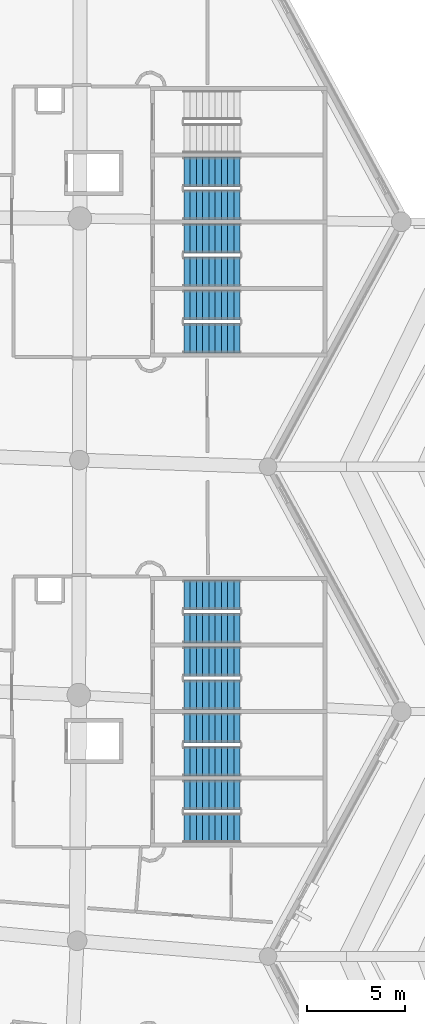
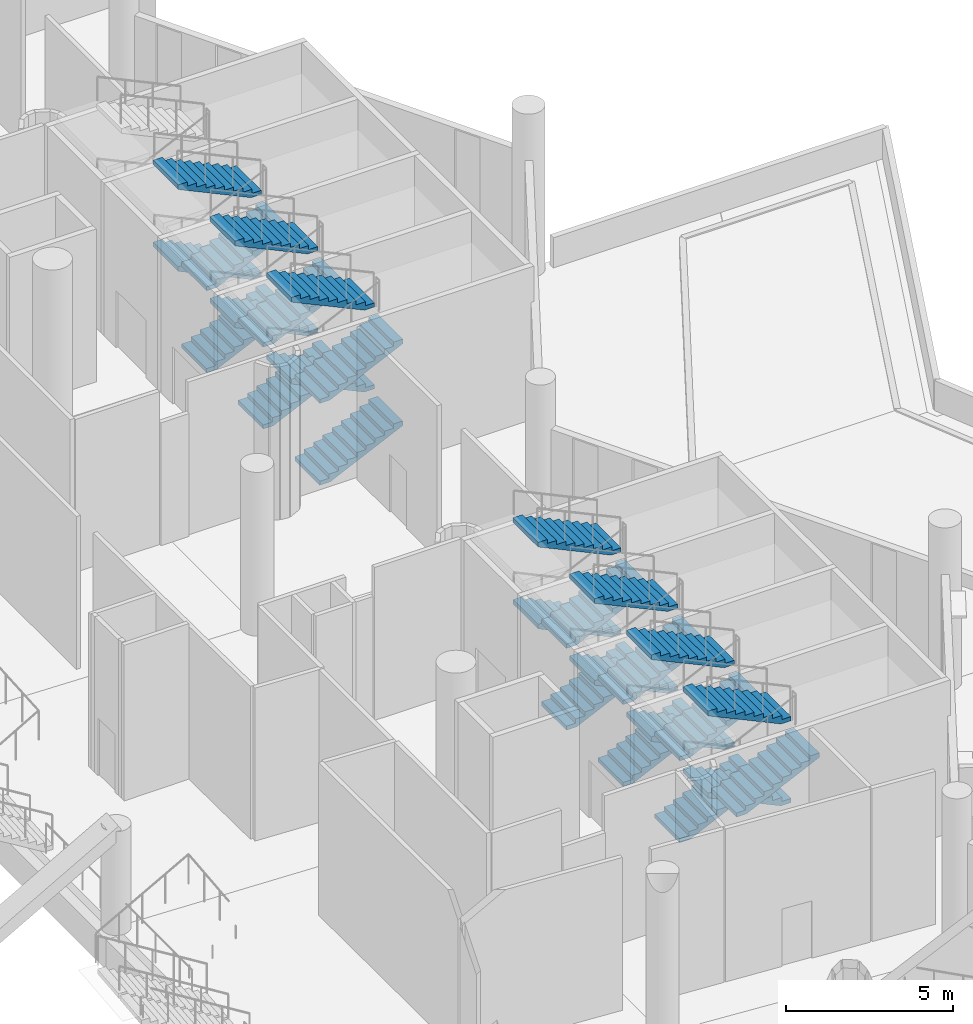
# One storey, part 91 of 173: 27 stair flights, 7 elements without a shape of their own.
"""IFC4 building model written with IfcOpenShell, lengths in metres."""

from ifc_helpers import new_model, si_unit, direction, frame, origin, place, context, subcontext, project, spatial, polyline, outline, extrude, material, type_object, element, aggregate, save


model = new_model("IFC4")

# Units and contexts
model_context = context("Model", 3, precision=1e-05, world=origin(), true_north=direction((0.0, 1.0)))
body_context = subcontext(model_context, "Body", "Model", "MODEL_VIEW")
ifc_project = project(units=[si_unit("LENGTHUNIT", "METRE"), si_unit("AREAUNIT", "SQUARE_METRE"), si_unit("VOLUMEUNIT", "CUBIC_METRE"), si_unit("PLANEANGLEUNIT", "RADIAN"), si_unit("MASSUNIT", "GRAM", prefix="KILO")], contexts=[model_context])

# Site, building, storey
site_placement = place(None, origin())
site = spatial("IfcSite", under=ifc_project, at=site_placement, CompositionType="ELEMENT")
building_placement = place(site_placement, origin())
building = spatial("IfcBuilding", under=site, at=building_placement, Name="Meseta Stadium", CompositionType="ELEMENT")
storey_placement = place(building_placement, frame((0.0, 0.0, 18.0)))
storey = spatial("IfcBuildingStorey", under=building, at=storey_placement, Name="L03", CompositionType="ELEMENT", Elevation=18.0)

# Stair, stair flights
ifc_material_1 = material(Name="Concrete C40/50", Category="concrete")
stair_type = type_object("IfcStairType", Name="Exit stair 4 flights 150 mm risers", PredefinedType="HALF_TURN_STAIR", material=ifc_material_1)
stair_1_placement = place(storey_placement, origin())
stair_1 = element("IfcStair", 1, at=stair_1_placement, inside=storey, type_object=stair_type, Name="ST5 L03", PredefinedType="HALF_TURN_STAIR")
ifc_material_2 = material(Name="Concrete C40/50", Category="concrete")
stair_flight_type = type_object("IfcStairFlightType", Name="Exit stair flight 150 mm risers, 4 per storey", PredefinedType="STRAIGHT", material=ifc_material_2)
stair_flight_1_placement = place(storey_placement, frame((93.179931640625, -35.5, 1.5), z_axis=(0.0, 0.0, 1.0), x_axis=(-1.0, 0.0, 0.0)))
stair_flight_1 = element("IfcStairFlight", 2, at=stair_flight_1_placement, type_object=stair_flight_type, Name="ST5 L03 flight 2", NumberOfRisers=10, NumberOfTreads=9, PredefinedType="STRAIGHT", RiserHeight=0.15, TreadLength=0.32, context=body_context, shape_type="SweptSolid", body=[
    extrude(outline(polyline([(0.0, 0.0), (0.0, 0.14990234375), (0.320068359375, 0.14990234375), (0.320068359375, 0.300048828125), (0.639892578125, 0.300048828125), (0.639892578125, 0.449951171875), (0.9599609375, 0.449951171875), (0.9599609375, 0.60009765625), (1.280029296875, 0.60009765625), (1.280029296875, 0.75), (1.60009765625, 0.75), (1.60009765625, 0.89990234375), (1.919921875, 0.89990234375), (1.919921875, 1.050048828125), (2.239990234375, 1.050048828125), (2.239990234375, 1.199951171875), (2.56005859375, 1.199951171875), (2.56005859375, 1.35009765625), (2.8798828125, 1.35009765625), (2.8798828125, 1.184326171875), (0.353271484375, 0.0), (0.0, 0.0)])), frame((0.0, 0.75, 0.0), z_axis=(0.0, -1.0, 0.0), x_axis=(1.0, 0.0, 0.0)), (0.0, 0.0, 1.0), 1.5),
])
stair_flight_2_placement = place(storey_placement, frame((90.300048828125, -37.199951171875, 3.0), z_axis=(0.0, 0.0, 1.0), x_axis=(1.0, 0.0, 0.0)))
stair_flight_2 = element("IfcStairFlight", 3, at=stair_flight_2_placement, type_object=stair_flight_type, Name="ST5 L03 flight 3", NumberOfRisers=10, NumberOfTreads=9, PredefinedType="STRAIGHT", RiserHeight=0.15, TreadLength=0.32, context=body_context, shape_type="SweptSolid", body=[
    extrude(outline(polyline([(0.0, 0.0), (0.0, 0.14990234375), (0.320068359375, 0.14990234375), (0.320068359375, 0.300048828125), (0.639892578125, 0.300048828125), (0.639892578125, 0.449951171875), (0.9599609375, 0.449951171875), (0.9599609375, 0.60009765625), (1.280029296875, 0.60009765625), (1.280029296875, 0.75), (1.60009765625, 0.75), (1.60009765625, 0.89990234375), (1.919921875, 0.89990234375), (1.919921875, 1.050048828125), (2.239990234375, 1.050048828125), (2.239990234375, 1.199951171875), (2.56005859375, 1.199951171875), (2.56005859375, 1.35009765625), (2.8798828125, 1.35009765625), (2.8798828125, 1.184326171875), (0.353271484375, 0.0), (0.0, 0.0)])), frame((0.0, 0.75, 0.0), z_axis=(0.0, -1.0, 0.0), x_axis=(1.0, 0.0, 0.0)), (0.0, 0.0, 1.0), 1.5),
])
stair_flight_3_placement = place(storey_placement, frame((93.179931640625, -35.5, 4.5), z_axis=(0.0, 0.0, 1.0), x_axis=(-1.0, 0.0, 0.0)))
stair_flight_3 = element("IfcStairFlight", 4, at=stair_flight_3_placement, type_object=stair_flight_type, Name="ST5 L03 flight 4", NumberOfRisers=10, NumberOfTreads=9, PredefinedType="STRAIGHT", RiserHeight=0.15, TreadLength=0.32, context=body_context, shape_type="SweptSolid", body=[
    extrude(outline(polyline([(0.0, 0.0), (0.0, 0.14990234375), (0.320068359375, 0.14990234375), (0.320068359375, 0.300048828125), (0.639892578125, 0.300048828125), (0.639892578125, 0.449951171875), (0.9599609375, 0.449951171875), (0.9599609375, 0.60009765625), (1.280029296875, 0.60009765625), (1.280029296875, 0.75), (1.60009765625, 0.75), (1.60009765625, 0.89990234375), (1.919921875, 0.89990234375), (1.919921875, 1.050048828125), (2.239990234375, 1.050048828125), (2.239990234375, 1.199951171875), (2.56005859375, 1.199951171875), (2.56005859375, 1.35009765625), (2.8798828125, 1.35009765625), (2.8798828125, 1.184326171875), (0.353271484375, 0.0), (0.0, 0.0)])), frame((0.0, 0.75, 0.0), z_axis=(0.0, -1.0, 0.0), x_axis=(1.0, 0.0, 0.0)), (0.0, 0.0, 1.0), 1.5),
])
aggregate(stair_1, [stair_flight_1, stair_flight_2, stair_flight_3])

stair_2_placement = place(storey_placement, origin())
stair_2 = element("IfcStair", 5, at=stair_2_placement, inside=storey, type_object=stair_type, Name="ST6 L03", PredefinedType="HALF_TURN_STAIR")
stair_flight_4_placement = place(storey_placement, frame((90.300048828125, -33.800048828125, 0.0), z_axis=(0.0, 0.0, 1.0), x_axis=(1.0, 0.0, 0.0)))
stair_flight_4 = element("IfcStairFlight", 6, at=stair_flight_4_placement, type_object=stair_flight_type, Name="ST6 L03 flight 1", NumberOfRisers=10, NumberOfTreads=9, PredefinedType="STRAIGHT", RiserHeight=0.15, TreadLength=0.32, context=body_context, shape_type="SweptSolid", body=[
    extrude(outline(polyline([(0.0, 0.0), (0.0, 0.14990234375), (0.320068359375, 0.14990234375), (0.320068359375, 0.300048828125), (0.639892578125, 0.300048828125), (0.639892578125, 0.449951171875), (0.9599609375, 0.449951171875), (0.9599609375, 0.60009765625), (1.280029296875, 0.60009765625), (1.280029296875, 0.75), (1.60009765625, 0.75), (1.60009765625, 0.89990234375), (1.919921875, 0.89990234375), (1.919921875, 1.050048828125), (2.239990234375, 1.050048828125), (2.239990234375, 1.199951171875), (2.56005859375, 1.199951171875), (2.56005859375, 1.35009765625), (2.8798828125, 1.35009765625), (2.8798828125, 1.184326171875), (0.353271484375, 0.0), (0.0, 0.0)])), frame((0.0, 0.75, 0.0), z_axis=(0.0, -1.0, 0.0), x_axis=(1.0, 0.0, 0.0)), (0.0, 0.0, 1.0), 1.5),
])
stair_flight_5_placement = place(storey_placement, frame((93.179931640625, -32.10009765625, 1.5), z_axis=(0.0, 0.0, 1.0), x_axis=(-1.0, 0.0, 0.0)))
stair_flight_5 = element("IfcStairFlight", 7, at=stair_flight_5_placement, type_object=stair_flight_type, Name="ST6 L03 flight 2", NumberOfRisers=10, NumberOfTreads=9, PredefinedType="STRAIGHT", RiserHeight=0.15, TreadLength=0.32, context=body_context, shape_type="SweptSolid", body=[
    extrude(outline(polyline([(0.0, 0.0), (0.0, 0.14990234375), (0.320068359375, 0.14990234375), (0.320068359375, 0.300048828125), (0.639892578125, 0.300048828125), (0.639892578125, 0.449951171875), (0.9599609375, 0.449951171875), (0.9599609375, 0.60009765625), (1.280029296875, 0.60009765625), (1.280029296875, 0.75), (1.60009765625, 0.75), (1.60009765625, 0.89990234375), (1.919921875, 0.89990234375), (1.919921875, 1.050048828125), (2.239990234375, 1.050048828125), (2.239990234375, 1.199951171875), (2.56005859375, 1.199951171875), (2.56005859375, 1.35009765625), (2.8798828125, 1.35009765625), (2.8798828125, 1.184326171875), (0.353271484375, 0.0), (0.0, 0.0)])), frame((0.0, 0.75, 0.0), z_axis=(0.0, -1.0, 0.0), x_axis=(1.0, 0.0, 0.0)), (0.0, 0.0, 1.0), 1.5),
])
stair_flight_6_placement = place(storey_placement, frame((90.300048828125, -33.800048828125, 3.0), z_axis=(0.0, 0.0, 1.0), x_axis=(1.0, 0.0, 0.0)))
stair_flight_6 = element("IfcStairFlight", 8, at=stair_flight_6_placement, type_object=stair_flight_type, Name="ST6 L03 flight 3", NumberOfRisers=10, NumberOfTreads=9, PredefinedType="STRAIGHT", RiserHeight=0.15, TreadLength=0.32, context=body_context, shape_type="SweptSolid", body=[
    extrude(outline(polyline([(0.0, 0.0), (0.0, 0.14990234375), (0.320068359375, 0.14990234375), (0.320068359375, 0.300048828125), (0.639892578125, 0.300048828125), (0.639892578125, 0.449951171875), (0.9599609375, 0.449951171875), (0.9599609375, 0.60009765625), (1.280029296875, 0.60009765625), (1.280029296875, 0.75), (1.60009765625, 0.75), (1.60009765625, 0.89990234375), (1.919921875, 0.89990234375), (1.919921875, 1.050048828125), (2.239990234375, 1.050048828125), (2.239990234375, 1.199951171875), (2.56005859375, 1.199951171875), (2.56005859375, 1.35009765625), (2.8798828125, 1.35009765625), (2.8798828125, 1.184326171875), (0.353271484375, 0.0), (0.0, 0.0)])), frame((0.0, 0.75, 0.0), z_axis=(0.0, -1.0, 0.0), x_axis=(1.0, 0.0, 0.0)), (0.0, 0.0, 1.0), 1.5),
])
stair_flight_7_placement = place(storey_placement, frame((93.179931640625, -32.10009765625, 4.5), z_axis=(0.0, 0.0, 1.0), x_axis=(-1.0, 0.0, 0.0)))
stair_flight_7 = element("IfcStairFlight", 9, at=stair_flight_7_placement, type_object=stair_flight_type, Name="ST6 L03 flight 4", NumberOfRisers=10, NumberOfTreads=9, PredefinedType="STRAIGHT", RiserHeight=0.15, TreadLength=0.32, context=body_context, shape_type="SweptSolid", body=[
    extrude(outline(polyline([(0.0, 0.0), (0.0, 0.14990234375), (0.320068359375, 0.14990234375), (0.320068359375, 0.300048828125), (0.639892578125, 0.300048828125), (0.639892578125, 0.449951171875), (0.9599609375, 0.449951171875), (0.9599609375, 0.60009765625), (1.280029296875, 0.60009765625), (1.280029296875, 0.75), (1.60009765625, 0.75), (1.60009765625, 0.89990234375), (1.919921875, 0.89990234375), (1.919921875, 1.050048828125), (2.239990234375, 1.050048828125), (2.239990234375, 1.199951171875), (2.56005859375, 1.199951171875), (2.56005859375, 1.35009765625), (2.8798828125, 1.35009765625), (2.8798828125, 1.184326171875), (0.353271484375, 0.0), (0.0, 0.0)])), frame((0.0, 0.75, 0.0), z_axis=(0.0, -1.0, 0.0), x_axis=(1.0, 0.0, 0.0)), (0.0, 0.0, 1.0), 1.5),
])
aggregate(stair_2, [stair_flight_4, stair_flight_5, stair_flight_6, stair_flight_7])

stair_3_placement = place(storey_placement, origin())
stair_3 = element("IfcStair", 10, at=stair_3_placement, inside=storey, type_object=stair_type, Name="ST7 L03", PredefinedType="HALF_TURN_STAIR")
stair_flight_8_placement = place(storey_placement, frame((90.300048828125, -30.39990234375, 0.0), z_axis=(0.0, 0.0, 1.0), x_axis=(1.0, 0.0, 0.0)))
stair_flight_8 = element("IfcStairFlight", 11, at=stair_flight_8_placement, type_object=stair_flight_type, Name="ST7 L03 flight 1", NumberOfRisers=10, NumberOfTreads=9, PredefinedType="STRAIGHT", RiserHeight=0.15, TreadLength=0.32, context=body_context, shape_type="SweptSolid", body=[
    extrude(outline(polyline([(0.0, 0.0), (0.0, 0.14990234375), (0.320068359375, 0.14990234375), (0.320068359375, 0.300048828125), (0.639892578125, 0.300048828125), (0.639892578125, 0.449951171875), (0.9599609375, 0.449951171875), (0.9599609375, 0.60009765625), (1.280029296875, 0.60009765625), (1.280029296875, 0.75), (1.60009765625, 0.75), (1.60009765625, 0.89990234375), (1.919921875, 0.89990234375), (1.919921875, 1.050048828125), (2.239990234375, 1.050048828125), (2.239990234375, 1.199951171875), (2.56005859375, 1.199951171875), (2.56005859375, 1.35009765625), (2.8798828125, 1.35009765625), (2.8798828125, 1.184326171875), (0.353271484375, 0.0), (0.0, 0.0)])), frame((0.0, 0.75, 0.0), z_axis=(0.0, -1.0, 0.0), x_axis=(1.0, 0.0, 0.0)), (0.0, 0.0, 1.0), 1.5),
])
stair_flight_9_placement = place(storey_placement, frame((93.179931640625, -28.699951171875, 1.5), z_axis=(0.0, 0.0, 1.0), x_axis=(-1.0, 0.0, 0.0)))
stair_flight_9 = element("IfcStairFlight", 12, at=stair_flight_9_placement, type_object=stair_flight_type, Name="ST7 L03 flight 2", NumberOfRisers=10, NumberOfTreads=9, PredefinedType="STRAIGHT", RiserHeight=0.15, TreadLength=0.32, context=body_context, shape_type="SweptSolid", body=[
    extrude(outline(polyline([(0.0, 0.0), (0.0, 0.14990234375), (0.320068359375, 0.14990234375), (0.320068359375, 0.300048828125), (0.639892578125, 0.300048828125), (0.639892578125, 0.449951171875), (0.9599609375, 0.449951171875), (0.9599609375, 0.60009765625), (1.280029296875, 0.60009765625), (1.280029296875, 0.75), (1.60009765625, 0.75), (1.60009765625, 0.89990234375), (1.919921875, 0.89990234375), (1.919921875, 1.050048828125), (2.239990234375, 1.050048828125), (2.239990234375, 1.199951171875), (2.56005859375, 1.199951171875), (2.56005859375, 1.35009765625), (2.8798828125, 1.35009765625), (2.8798828125, 1.184326171875), (0.353271484375, 0.0), (0.0, 0.0)])), frame((0.0, 0.75, 0.0), z_axis=(0.0, -1.0, 0.0), x_axis=(1.0, 0.0, 0.0)), (0.0, 0.0, 1.0), 1.5),
])
stair_flight_10_placement = place(storey_placement, frame((90.300048828125, -30.39990234375, 3.0), z_axis=(0.0, 0.0, 1.0), x_axis=(1.0, 0.0, 0.0)))
stair_flight_10 = element("IfcStairFlight", 13, at=stair_flight_10_placement, type_object=stair_flight_type, Name="ST7 L03 flight 3", NumberOfRisers=10, NumberOfTreads=9, PredefinedType="STRAIGHT", RiserHeight=0.15, TreadLength=0.32, context=body_context, shape_type="SweptSolid", body=[
    extrude(outline(polyline([(0.0, 0.0), (0.0, 0.14990234375), (0.320068359375, 0.14990234375), (0.320068359375, 0.300048828125), (0.639892578125, 0.300048828125), (0.639892578125, 0.449951171875), (0.9599609375, 0.449951171875), (0.9599609375, 0.60009765625), (1.280029296875, 0.60009765625), (1.280029296875, 0.75), (1.60009765625, 0.75), (1.60009765625, 0.89990234375), (1.919921875, 0.89990234375), (1.919921875, 1.050048828125), (2.239990234375, 1.050048828125), (2.239990234375, 1.199951171875), (2.56005859375, 1.199951171875), (2.56005859375, 1.35009765625), (2.8798828125, 1.35009765625), (2.8798828125, 1.184326171875), (0.353271484375, 0.0), (0.0, 0.0)])), frame((0.0, 0.75, 0.0), z_axis=(0.0, -1.0, 0.0), x_axis=(1.0, 0.0, 0.0)), (0.0, 0.0, 1.0), 1.5),
])
stair_flight_11_placement = place(storey_placement, frame((93.179931640625, -28.699951171875, 4.5), z_axis=(0.0, 0.0, 1.0), x_axis=(-1.0, 0.0, 0.0)))
stair_flight_11 = element("IfcStairFlight", 14, at=stair_flight_11_placement, type_object=stair_flight_type, Name="ST7 L03 flight 4", NumberOfRisers=10, NumberOfTreads=9, PredefinedType="STRAIGHT", RiserHeight=0.15, TreadLength=0.32, context=body_context, shape_type="SweptSolid", body=[
    extrude(outline(polyline([(0.0, 0.0), (0.0, 0.14990234375), (0.320068359375, 0.14990234375), (0.320068359375, 0.300048828125), (0.639892578125, 0.300048828125), (0.639892578125, 0.449951171875), (0.9599609375, 0.449951171875), (0.9599609375, 0.60009765625), (1.280029296875, 0.60009765625), (1.280029296875, 0.75), (1.60009765625, 0.75), (1.60009765625, 0.89990234375), (1.919921875, 0.89990234375), (1.919921875, 1.050048828125), (2.239990234375, 1.050048828125), (2.239990234375, 1.199951171875), (2.56005859375, 1.199951171875), (2.56005859375, 1.35009765625), (2.8798828125, 1.35009765625), (2.8798828125, 1.184326171875), (0.353271484375, 0.0), (0.0, 0.0)])), frame((0.0, 0.75, 0.0), z_axis=(0.0, -1.0, 0.0), x_axis=(1.0, 0.0, 0.0)), (0.0, 0.0, 1.0), 1.5),
])
aggregate(stair_3, [stair_flight_8, stair_flight_9, stair_flight_10, stair_flight_11])

stair_4_placement = place(storey_placement, origin())
stair_4 = element("IfcStair", 15, at=stair_4_placement, inside=storey, type_object=stair_type, Name="ST8 L03", PredefinedType="HALF_TURN_STAIR")
stair_flight_12_placement = place(storey_placement, frame((90.300048828125, -27.0, 0.0), z_axis=(0.0, 0.0, 1.0), x_axis=(1.0, 0.0, 0.0)))
stair_flight_12 = element("IfcStairFlight", 16, at=stair_flight_12_placement, type_object=stair_flight_type, Name="ST8 L03 flight 1", NumberOfRisers=10, NumberOfTreads=9, PredefinedType="STRAIGHT", RiserHeight=0.15, TreadLength=0.32, context=body_context, shape_type="SweptSolid", body=[
    extrude(outline(polyline([(0.0, 0.0), (0.0, 0.14990234375), (0.320068359375, 0.14990234375), (0.320068359375, 0.300048828125), (0.639892578125, 0.300048828125), (0.639892578125, 0.449951171875), (0.9599609375, 0.449951171875), (0.9599609375, 0.60009765625), (1.280029296875, 0.60009765625), (1.280029296875, 0.75), (1.60009765625, 0.75), (1.60009765625, 0.89990234375), (1.919921875, 0.89990234375), (1.919921875, 1.050048828125), (2.239990234375, 1.050048828125), (2.239990234375, 1.199951171875), (2.56005859375, 1.199951171875), (2.56005859375, 1.35009765625), (2.8798828125, 1.35009765625), (2.8798828125, 1.184326171875), (0.353271484375, 0.0), (0.0, 0.0)])), frame((0.0, 0.75, 0.0), z_axis=(0.0, -1.0, 0.0), x_axis=(1.0, 0.0, 0.0)), (0.0, 0.0, 1.0), 1.5),
])
stair_flight_13_placement = place(storey_placement, frame((93.179931640625, -25.300048828125, 1.5), z_axis=(0.0, 0.0, 1.0), x_axis=(-1.0, 0.0, 0.0)))
stair_flight_13 = element("IfcStairFlight", 17, at=stair_flight_13_placement, type_object=stair_flight_type, Name="ST8 L03 flight 2", NumberOfRisers=10, NumberOfTreads=9, PredefinedType="STRAIGHT", RiserHeight=0.15, TreadLength=0.32, context=body_context, shape_type="SweptSolid", body=[
    extrude(outline(polyline([(0.0, 0.0), (0.0, 0.14990234375), (0.320068359375, 0.14990234375), (0.320068359375, 0.300048828125), (0.639892578125, 0.300048828125), (0.639892578125, 0.449951171875), (0.9599609375, 0.449951171875), (0.9599609375, 0.60009765625), (1.280029296875, 0.60009765625), (1.280029296875, 0.75), (1.60009765625, 0.75), (1.60009765625, 0.89990234375), (1.919921875, 0.89990234375), (1.919921875, 1.050048828125), (2.239990234375, 1.050048828125), (2.239990234375, 1.199951171875), (2.56005859375, 1.199951171875), (2.56005859375, 1.35009765625), (2.8798828125, 1.35009765625), (2.8798828125, 1.184326171875), (0.353271484375, 0.0), (0.0, 0.0)])), frame((0.0, 0.75, 0.0), z_axis=(0.0, -1.0, 0.0), x_axis=(1.0, 0.0, 0.0)), (0.0, 0.0, 1.0), 1.5),
])
stair_flight_14_placement = place(storey_placement, frame((90.300048828125, -27.0, 3.0), z_axis=(0.0, 0.0, 1.0), x_axis=(1.0, 0.0, 0.0)))
stair_flight_14 = element("IfcStairFlight", 18, at=stair_flight_14_placement, type_object=stair_flight_type, Name="ST8 L03 flight 3", NumberOfRisers=10, NumberOfTreads=9, PredefinedType="STRAIGHT", RiserHeight=0.15, TreadLength=0.32, context=body_context, shape_type="SweptSolid", body=[
    extrude(outline(polyline([(0.0, 0.0), (0.0, 0.14990234375), (0.320068359375, 0.14990234375), (0.320068359375, 0.300048828125), (0.639892578125, 0.300048828125), (0.639892578125, 0.449951171875), (0.9599609375, 0.449951171875), (0.9599609375, 0.60009765625), (1.280029296875, 0.60009765625), (1.280029296875, 0.75), (1.60009765625, 0.75), (1.60009765625, 0.89990234375), (1.919921875, 0.89990234375), (1.919921875, 1.050048828125), (2.239990234375, 1.050048828125), (2.239990234375, 1.199951171875), (2.56005859375, 1.199951171875), (2.56005859375, 1.35009765625), (2.8798828125, 1.35009765625), (2.8798828125, 1.184326171875), (0.353271484375, 0.0), (0.0, 0.0)])), frame((0.0, 0.75, 0.0), z_axis=(0.0, -1.0, 0.0), x_axis=(1.0, 0.0, 0.0)), (0.0, 0.0, 1.0), 1.5),
])
stair_flight_15_placement = place(storey_placement, frame((93.179931640625, -25.300048828125, 4.5), z_axis=(0.0, 0.0, 1.0), x_axis=(-1.0, 0.0, 0.0)))
stair_flight_15 = element("IfcStairFlight", 19, at=stair_flight_15_placement, type_object=stair_flight_type, Name="ST8 L03 flight 4", NumberOfRisers=10, NumberOfTreads=9, PredefinedType="STRAIGHT", RiserHeight=0.15, TreadLength=0.32, context=body_context, shape_type="SweptSolid", body=[
    extrude(outline(polyline([(0.0, 0.0), (0.0, 0.14990234375), (0.320068359375, 0.14990234375), (0.320068359375, 0.300048828125), (0.639892578125, 0.300048828125), (0.639892578125, 0.449951171875), (0.9599609375, 0.449951171875), (0.9599609375, 0.60009765625), (1.280029296875, 0.60009765625), (1.280029296875, 0.75), (1.60009765625, 0.75), (1.60009765625, 0.89990234375), (1.919921875, 0.89990234375), (1.919921875, 1.050048828125), (2.239990234375, 1.050048828125), (2.239990234375, 1.199951171875), (2.56005859375, 1.199951171875), (2.56005859375, 1.35009765625), (2.8798828125, 1.35009765625), (2.8798828125, 1.184326171875), (0.353271484375, 0.0), (0.0, 0.0)])), frame((0.0, 0.75, 0.0), z_axis=(0.0, -1.0, 0.0), x_axis=(1.0, 0.0, 0.0)), (0.0, 0.0, 1.0), 1.5),
])
aggregate(stair_4, [stair_flight_12, stair_flight_13, stair_flight_14, stair_flight_15])

stair_5_placement = place(storey_placement, origin())
stair_5 = element("IfcStair", 20, at=stair_5_placement, inside=storey, type_object=stair_type, Name="ST9 L03", PredefinedType="HALF_TURN_STAIR")
stair_flight_16_placement = place(storey_placement, frame((90.300048828125, -12.199951171875, 0.0), z_axis=(0.0, 0.0, 1.0), x_axis=(1.0, 0.0, 0.0)))
stair_flight_16 = element("IfcStairFlight", 21, at=stair_flight_16_placement, type_object=stair_flight_type, Name="ST9 L03 flight 1", NumberOfRisers=10, NumberOfTreads=9, PredefinedType="STRAIGHT", RiserHeight=0.15, TreadLength=0.32, context=body_context, shape_type="SweptSolid", body=[
    extrude(outline(polyline([(0.0, 0.0), (0.0, 0.14990234375), (0.320068359375, 0.14990234375), (0.320068359375, 0.300048828125), (0.639892578125, 0.300048828125), (0.639892578125, 0.449951171875), (0.9599609375, 0.449951171875), (0.9599609375, 0.60009765625), (1.280029296875, 0.60009765625), (1.280029296875, 0.75), (1.60009765625, 0.75), (1.60009765625, 0.89990234375), (1.919921875, 0.89990234375), (1.919921875, 1.050048828125), (2.239990234375, 1.050048828125), (2.239990234375, 1.199951171875), (2.56005859375, 1.199951171875), (2.56005859375, 1.35009765625), (2.8798828125, 1.35009765625), (2.8798828125, 1.184326171875), (0.353271484375, 0.0), (0.0, 0.0)])), frame((0.0, 0.75, 0.0), z_axis=(0.0, -1.0, 0.0), x_axis=(1.0, 0.0, 0.0)), (0.0, 0.0, 1.0), 1.5),
])
stair_flight_17_placement = place(storey_placement, frame((93.179931640625, -10.5, 1.5), z_axis=(0.0, 0.0, 1.0), x_axis=(-1.0, 0.0, 0.0)))
stair_flight_17 = element("IfcStairFlight", 22, at=stair_flight_17_placement, type_object=stair_flight_type, Name="ST9 L03 flight 2", NumberOfRisers=10, NumberOfTreads=9, PredefinedType="STRAIGHT", RiserHeight=0.15, TreadLength=0.32, context=body_context, shape_type="SweptSolid", body=[
    extrude(outline(polyline([(0.0, 0.0), (0.0, 0.14990234375), (0.320068359375, 0.14990234375), (0.320068359375, 0.300048828125), (0.639892578125, 0.300048828125), (0.639892578125, 0.449951171875), (0.9599609375, 0.449951171875), (0.9599609375, 0.60009765625), (1.280029296875, 0.60009765625), (1.280029296875, 0.75), (1.60009765625, 0.75), (1.60009765625, 0.89990234375), (1.919921875, 0.89990234375), (1.919921875, 1.050048828125), (2.239990234375, 1.050048828125), (2.239990234375, 1.199951171875), (2.56005859375, 1.199951171875), (2.56005859375, 1.35009765625), (2.8798828125, 1.35009765625), (2.8798828125, 1.184326171875), (0.353271484375, 0.0), (0.0, 0.0)])), frame((0.0, 0.75, 0.0), z_axis=(0.0, -1.0, 0.0), x_axis=(1.0, 0.0, 0.0)), (0.0, 0.0, 1.0), 1.5),
])
stair_flight_18_placement = place(storey_placement, frame((90.300048828125, -12.199951171875, 3.0), z_axis=(0.0, 0.0, 1.0), x_axis=(1.0, 0.0, 0.0)))
stair_flight_18 = element("IfcStairFlight", 23, at=stair_flight_18_placement, type_object=stair_flight_type, Name="ST9 L03 flight 3", NumberOfRisers=10, NumberOfTreads=9, PredefinedType="STRAIGHT", RiserHeight=0.15, TreadLength=0.32, context=body_context, shape_type="SweptSolid", body=[
    extrude(outline(polyline([(0.0, 0.0), (0.0, 0.14990234375), (0.320068359375, 0.14990234375), (0.320068359375, 0.300048828125), (0.639892578125, 0.300048828125), (0.639892578125, 0.449951171875), (0.9599609375, 0.449951171875), (0.9599609375, 0.60009765625), (1.280029296875, 0.60009765625), (1.280029296875, 0.75), (1.60009765625, 0.75), (1.60009765625, 0.89990234375), (1.919921875, 0.89990234375), (1.919921875, 1.050048828125), (2.239990234375, 1.050048828125), (2.239990234375, 1.199951171875), (2.56005859375, 1.199951171875), (2.56005859375, 1.35009765625), (2.8798828125, 1.35009765625), (2.8798828125, 1.184326171875), (0.353271484375, 0.0), (0.0, 0.0)])), frame((0.0, 0.75, 0.0), z_axis=(0.0, -1.0, 0.0), x_axis=(1.0, 0.0, 0.0)), (0.0, 0.0, 1.0), 1.5),
])
stair_flight_19_placement = place(storey_placement, frame((93.179931640625, -10.5, 4.5), z_axis=(0.0, 0.0, 1.0), x_axis=(-1.0, 0.0, 0.0)))
stair_flight_19 = element("IfcStairFlight", 24, at=stair_flight_19_placement, type_object=stair_flight_type, Name="ST9 L03 flight 4", NumberOfRisers=10, NumberOfTreads=9, PredefinedType="STRAIGHT", RiserHeight=0.15, TreadLength=0.32, context=body_context, shape_type="SweptSolid", body=[
    extrude(outline(polyline([(0.0, 0.0), (0.0, 0.14990234375), (0.320068359375, 0.14990234375), (0.320068359375, 0.300048828125), (0.639892578125, 0.300048828125), (0.639892578125, 0.449951171875), (0.9599609375, 0.449951171875), (0.9599609375, 0.60009765625), (1.280029296875, 0.60009765625), (1.280029296875, 0.75), (1.60009765625, 0.75), (1.60009765625, 0.89990234375), (1.919921875, 0.89990234375), (1.919921875, 1.050048828125), (2.239990234375, 1.050048828125), (2.239990234375, 1.199951171875), (2.56005859375, 1.199951171875), (2.56005859375, 1.35009765625), (2.8798828125, 1.35009765625), (2.8798828125, 1.184326171875), (0.353271484375, 0.0), (0.0, 0.0)])), frame((0.0, 0.75, 0.0), z_axis=(0.0, -1.0, 0.0), x_axis=(1.0, 0.0, 0.0)), (0.0, 0.0, 1.0), 1.5),
])
aggregate(stair_5, [stair_flight_16, stair_flight_17, stair_flight_18, stair_flight_19])

stair_6_placement = place(storey_placement, origin())
stair_6 = element("IfcStair", 25, at=stair_6_placement, inside=storey, type_object=stair_type, Name="ST10 L03", PredefinedType="HALF_TURN_STAIR")
stair_flight_20_placement = place(storey_placement, frame((90.300048828125, -8.800048828125, 0.0), z_axis=(0.0, 0.0, 1.0), x_axis=(1.0, 0.0, 0.0)))
stair_flight_20 = element("IfcStairFlight", 26, at=stair_flight_20_placement, type_object=stair_flight_type, Name="ST10 L03 flight 1", NumberOfRisers=10, NumberOfTreads=9, PredefinedType="STRAIGHT", RiserHeight=0.15, TreadLength=0.32, context=body_context, shape_type="SweptSolid", body=[
    extrude(outline(polyline([(0.0, 0.0), (0.0, 0.14990234375), (0.320068359375, 0.14990234375), (0.320068359375, 0.300048828125), (0.639892578125, 0.300048828125), (0.639892578125, 0.449951171875), (0.9599609375, 0.449951171875), (0.9599609375, 0.60009765625), (1.280029296875, 0.60009765625), (1.280029296875, 0.75), (1.60009765625, 0.75), (1.60009765625, 0.89990234375), (1.919921875, 0.89990234375), (1.919921875, 1.050048828125), (2.239990234375, 1.050048828125), (2.239990234375, 1.199951171875), (2.56005859375, 1.199951171875), (2.56005859375, 1.35009765625), (2.8798828125, 1.35009765625), (2.8798828125, 1.184326171875), (0.353271484375, 0.0), (0.0, 0.0)])), frame((0.0, 0.75, 0.0), z_axis=(0.0, -1.0, 0.0), x_axis=(1.0, 0.0, 0.0)), (0.0, 0.0, 1.0), 1.5),
])
stair_flight_21_placement = place(storey_placement, frame((93.179931640625, -7.10009765625, 1.5), z_axis=(0.0, 0.0, 1.0), x_axis=(-1.0, 0.0, 0.0)))
stair_flight_21 = element("IfcStairFlight", 27, at=stair_flight_21_placement, type_object=stair_flight_type, Name="ST10 L03 flight 2", NumberOfRisers=10, NumberOfTreads=9, PredefinedType="STRAIGHT", RiserHeight=0.15, TreadLength=0.32, context=body_context, shape_type="SweptSolid", body=[
    extrude(outline(polyline([(0.0, 0.0), (0.0, 0.14990234375), (0.320068359375, 0.14990234375), (0.320068359375, 0.300048828125), (0.639892578125, 0.300048828125), (0.639892578125, 0.449951171875), (0.9599609375, 0.449951171875), (0.9599609375, 0.60009765625), (1.280029296875, 0.60009765625), (1.280029296875, 0.75), (1.60009765625, 0.75), (1.60009765625, 0.89990234375), (1.919921875, 0.89990234375), (1.919921875, 1.050048828125), (2.239990234375, 1.050048828125), (2.239990234375, 1.199951171875), (2.56005859375, 1.199951171875), (2.56005859375, 1.35009765625), (2.8798828125, 1.35009765625), (2.8798828125, 1.184326171875), (0.353271484375, 0.0), (0.0, 0.0)])), frame((0.0, 0.75, 0.0), z_axis=(0.0, -1.0, 0.0), x_axis=(1.0, 0.0, 0.0)), (0.0, 0.0, 1.0), 1.5),
])
stair_flight_22_placement = place(storey_placement, frame((90.300048828125, -8.800048828125, 3.0), z_axis=(0.0, 0.0, 1.0), x_axis=(1.0, 0.0, 0.0)))
stair_flight_22 = element("IfcStairFlight", 28, at=stair_flight_22_placement, type_object=stair_flight_type, Name="ST10 L03 flight 3", NumberOfRisers=10, NumberOfTreads=9, PredefinedType="STRAIGHT", RiserHeight=0.15, TreadLength=0.32, context=body_context, shape_type="SweptSolid", body=[
    extrude(outline(polyline([(0.0, 0.0), (0.0, 0.14990234375), (0.320068359375, 0.14990234375), (0.320068359375, 0.300048828125), (0.639892578125, 0.300048828125), (0.639892578125, 0.449951171875), (0.9599609375, 0.449951171875), (0.9599609375, 0.60009765625), (1.280029296875, 0.60009765625), (1.280029296875, 0.75), (1.60009765625, 0.75), (1.60009765625, 0.89990234375), (1.919921875, 0.89990234375), (1.919921875, 1.050048828125), (2.239990234375, 1.050048828125), (2.239990234375, 1.199951171875), (2.56005859375, 1.199951171875), (2.56005859375, 1.35009765625), (2.8798828125, 1.35009765625), (2.8798828125, 1.184326171875), (0.353271484375, 0.0), (0.0, 0.0)])), frame((0.0, 0.75, 0.0), z_axis=(0.0, -1.0, 0.0), x_axis=(1.0, 0.0, 0.0)), (0.0, 0.0, 1.0), 1.5),
])
stair_flight_23_placement = place(storey_placement, frame((93.179931640625, -7.10009765625, 4.5), z_axis=(0.0, 0.0, 1.0), x_axis=(-1.0, 0.0, 0.0)))
stair_flight_23 = element("IfcStairFlight", 29, at=stair_flight_23_placement, type_object=stair_flight_type, Name="ST10 L03 flight 4", NumberOfRisers=10, NumberOfTreads=9, PredefinedType="STRAIGHT", RiserHeight=0.15, TreadLength=0.32, context=body_context, shape_type="SweptSolid", body=[
    extrude(outline(polyline([(0.0, 0.0), (0.0, 0.14990234375), (0.320068359375, 0.14990234375), (0.320068359375, 0.300048828125), (0.639892578125, 0.300048828125), (0.639892578125, 0.449951171875), (0.9599609375, 0.449951171875), (0.9599609375, 0.60009765625), (1.280029296875, 0.60009765625), (1.280029296875, 0.75), (1.60009765625, 0.75), (1.60009765625, 0.89990234375), (1.919921875, 0.89990234375), (1.919921875, 1.050048828125), (2.239990234375, 1.050048828125), (2.239990234375, 1.199951171875), (2.56005859375, 1.199951171875), (2.56005859375, 1.35009765625), (2.8798828125, 1.35009765625), (2.8798828125, 1.184326171875), (0.353271484375, 0.0), (0.0, 0.0)])), frame((0.0, 0.75, 0.0), z_axis=(0.0, -1.0, 0.0), x_axis=(1.0, 0.0, 0.0)), (0.0, 0.0, 1.0), 1.5),
])
aggregate(stair_6, [stair_flight_20, stair_flight_21, stair_flight_22, stair_flight_23])

stair_7_placement = place(storey_placement, origin())
stair_7 = element("IfcStair", 30, at=stair_7_placement, inside=storey, type_object=stair_type, Name="ST11 L03", PredefinedType="HALF_TURN_STAIR")
stair_flight_24_placement = place(storey_placement, frame((90.300048828125, -5.39990234375, 0.0), z_axis=(0.0, 0.0, 1.0), x_axis=(1.0, 0.0, 0.0)))
stair_flight_24 = element("IfcStairFlight", 31, at=stair_flight_24_placement, type_object=stair_flight_type, Name="ST11 L03 flight 1", NumberOfRisers=10, NumberOfTreads=9, PredefinedType="STRAIGHT", RiserHeight=0.15, TreadLength=0.32, context=body_context, shape_type="SweptSolid", body=[
    extrude(outline(polyline([(0.0, 0.0), (0.0, 0.14990234375), (0.320068359375, 0.14990234375), (0.320068359375, 0.300048828125), (0.639892578125, 0.300048828125), (0.639892578125, 0.449951171875), (0.9599609375, 0.449951171875), (0.9599609375, 0.60009765625), (1.280029296875, 0.60009765625), (1.280029296875, 0.75), (1.60009765625, 0.75), (1.60009765625, 0.89990234375), (1.919921875, 0.89990234375), (1.919921875, 1.050048828125), (2.239990234375, 1.050048828125), (2.239990234375, 1.199951171875), (2.56005859375, 1.199951171875), (2.56005859375, 1.35009765625), (2.8798828125, 1.35009765625), (2.8798828125, 1.184326171875), (0.353271484375, 0.0), (0.0, 0.0)])), frame((0.0, 0.75, 0.0), z_axis=(0.0, -1.0, 0.0), x_axis=(1.0, 0.0, 0.0)), (0.0, 0.0, 1.0), 1.5),
])
stair_flight_25_placement = place(storey_placement, frame((93.179931640625, -3.699951171875, 1.5), z_axis=(0.0, 0.0, 1.0), x_axis=(-1.0, 0.0, 0.0)))
stair_flight_25 = element("IfcStairFlight", 32, at=stair_flight_25_placement, type_object=stair_flight_type, Name="ST11 L03 flight 2", NumberOfRisers=10, NumberOfTreads=9, PredefinedType="STRAIGHT", RiserHeight=0.15, TreadLength=0.32, context=body_context, shape_type="SweptSolid", body=[
    extrude(outline(polyline([(0.0, 0.0), (0.0, 0.14990234375), (0.320068359375, 0.14990234375), (0.320068359375, 0.300048828125), (0.639892578125, 0.300048828125), (0.639892578125, 0.449951171875), (0.9599609375, 0.449951171875), (0.9599609375, 0.60009765625), (1.280029296875, 0.60009765625), (1.280029296875, 0.75), (1.60009765625, 0.75), (1.60009765625, 0.89990234375), (1.919921875, 0.89990234375), (1.919921875, 1.050048828125), (2.239990234375, 1.050048828125), (2.239990234375, 1.199951171875), (2.56005859375, 1.199951171875), (2.56005859375, 1.35009765625), (2.8798828125, 1.35009765625), (2.8798828125, 1.184326171875), (0.353271484375, 0.0), (0.0, 0.0)])), frame((0.0, 0.75, 0.0), z_axis=(0.0, -1.0, 0.0), x_axis=(1.0, 0.0, 0.0)), (0.0, 0.0, 1.0), 1.5),
])
stair_flight_26_placement = place(storey_placement, frame((90.300048828125, -5.39990234375, 3.0), z_axis=(0.0, 0.0, 1.0), x_axis=(1.0, 0.0, 0.0)))
stair_flight_26 = element("IfcStairFlight", 33, at=stair_flight_26_placement, type_object=stair_flight_type, Name="ST11 L03 flight 3", NumberOfRisers=10, NumberOfTreads=9, PredefinedType="STRAIGHT", RiserHeight=0.15, TreadLength=0.32, context=body_context, shape_type="SweptSolid", body=[
    extrude(outline(polyline([(0.0, 0.0), (0.0, 0.14990234375), (0.320068359375, 0.14990234375), (0.320068359375, 0.300048828125), (0.639892578125, 0.300048828125), (0.639892578125, 0.449951171875), (0.9599609375, 0.449951171875), (0.9599609375, 0.60009765625), (1.280029296875, 0.60009765625), (1.280029296875, 0.75), (1.60009765625, 0.75), (1.60009765625, 0.89990234375), (1.919921875, 0.89990234375), (1.919921875, 1.050048828125), (2.239990234375, 1.050048828125), (2.239990234375, 1.199951171875), (2.56005859375, 1.199951171875), (2.56005859375, 1.35009765625), (2.8798828125, 1.35009765625), (2.8798828125, 1.184326171875), (0.353271484375, 0.0), (0.0, 0.0)])), frame((0.0, 0.75, 0.0), z_axis=(0.0, -1.0, 0.0), x_axis=(1.0, 0.0, 0.0)), (0.0, 0.0, 1.0), 1.5),
])
stair_flight_27_placement = place(storey_placement, frame((93.179931640625, -3.699951171875, 4.5), z_axis=(0.0, 0.0, 1.0), x_axis=(-1.0, 0.0, 0.0)))
stair_flight_27 = element("IfcStairFlight", 34, at=stair_flight_27_placement, type_object=stair_flight_type, Name="ST11 L03 flight 4", NumberOfRisers=10, NumberOfTreads=9, PredefinedType="STRAIGHT", RiserHeight=0.15, TreadLength=0.32, context=body_context, shape_type="SweptSolid", body=[
    extrude(outline(polyline([(0.0, 0.0), (0.0, 0.14990234375), (0.320068359375, 0.14990234375), (0.320068359375, 0.300048828125), (0.639892578125, 0.300048828125), (0.639892578125, 0.449951171875), (0.9599609375, 0.449951171875), (0.9599609375, 0.60009765625), (1.280029296875, 0.60009765625), (1.280029296875, 0.75), (1.60009765625, 0.75), (1.60009765625, 0.89990234375), (1.919921875, 0.89990234375), (1.919921875, 1.050048828125), (2.239990234375, 1.050048828125), (2.239990234375, 1.199951171875), (2.56005859375, 1.199951171875), (2.56005859375, 1.35009765625), (2.8798828125, 1.35009765625), (2.8798828125, 1.184326171875), (0.353271484375, 0.0), (0.0, 0.0)])), frame((0.0, 0.75, 0.0), z_axis=(0.0, -1.0, 0.0), x_axis=(1.0, 0.0, 0.0)), (0.0, 0.0, 1.0), 1.5),
])
aggregate(stair_7, [stair_flight_24, stair_flight_25, stair_flight_26, stair_flight_27])

save(model, "model.ifc")
